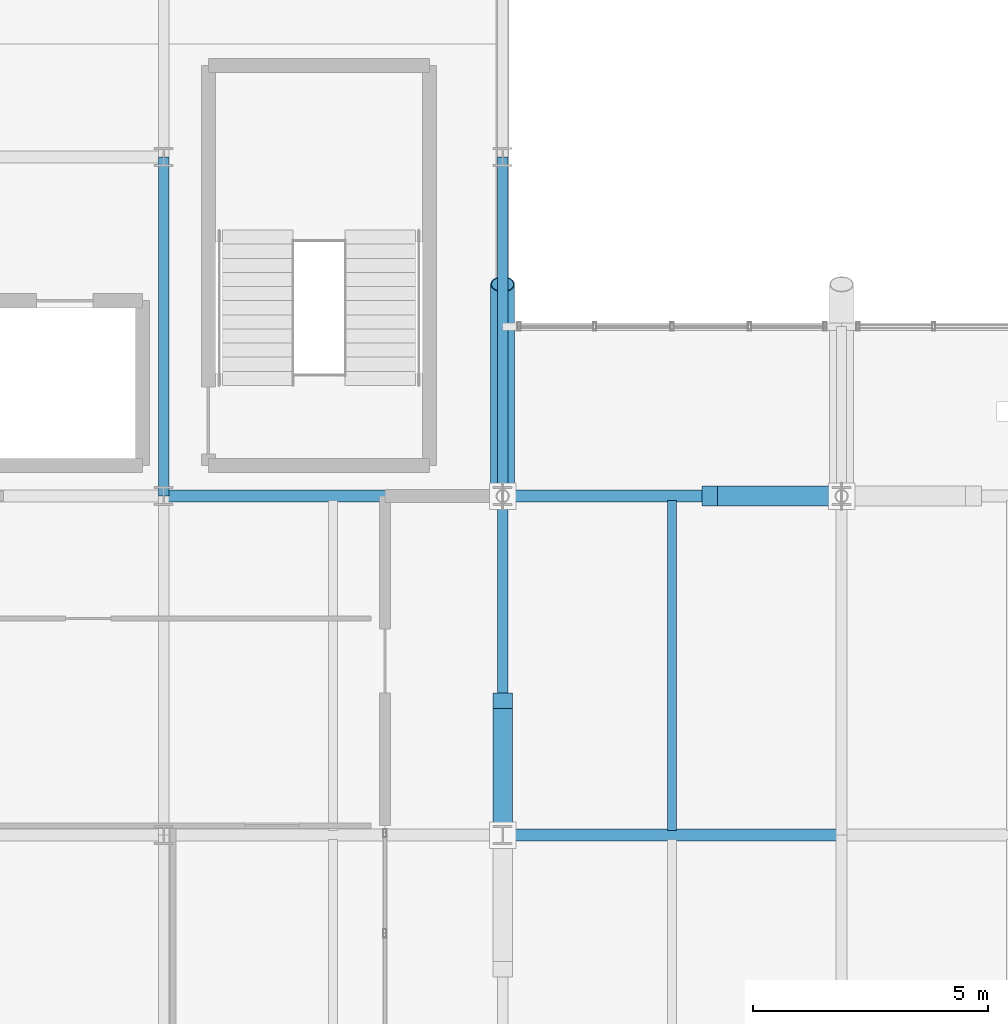
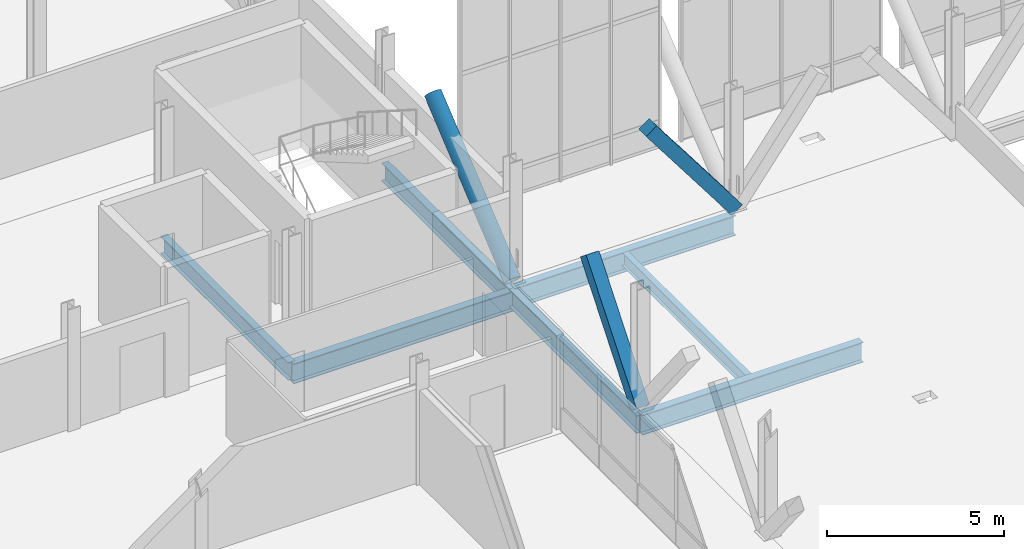
# One storey, part 24 of 102: 7 beams, 3 members.
"""IFC4 building model written with IfcOpenShell, lengths in metres."""

from ifc_helpers import new_model, si_unit, direction, frame, origin, origin_2d, place, context, subcontext, project, spatial, rectangle, hollow_circle, i_section, extrude, material, material_profile, profile_set, type_object, element, save


model = new_model("IFC4")

# Units and contexts
model_context = context("Model", 3, precision=1e-05, world=origin(), true_north=direction((0.0, 1.0)))
body_context = subcontext(model_context, "Body", "Model", "MODEL_VIEW")
ifc_project = project(units=[si_unit("LENGTHUNIT", "METRE"), si_unit("AREAUNIT", "SQUARE_METRE"), si_unit("VOLUMEUNIT", "CUBIC_METRE"), si_unit("PLANEANGLEUNIT", "RADIAN"), si_unit("MASSUNIT", "GRAM", prefix="KILO")], contexts=[model_context])

# Site, building, storey
site_placement = place(None, origin())
site = spatial("IfcSite", under=ifc_project, at=site_placement, CompositionType="ELEMENT")
building_placement = place(site_placement, origin())
building = spatial("IfcBuilding", under=site, at=building_placement, Name="Yarey Park Central Fire Station", CompositionType="ELEMENT")
storey_placement = place(building_placement, frame((0.0, 0.0, 6.0)))
storey = spatial("IfcBuildingStorey", under=building, at=storey_placement, Name="L02", CompositionType="ELEMENT", Elevation=6.0)

# Beams
ifc_material_1 = material(Name="Steel ASTM A992 Gr. 50", Category="steel")
ifc_material_profile_1 = material_profile(ifc_material_1, i_section(OverallWidth=0.22900390625, OverallDepth=0.612060546875, WebThickness=0.011962890625, FlangeThickness=0.01953125, at=origin_2d()), Name="W610x125")
ifc_profile_set_1 = profile_set([ifc_material_profile_1], Name="Steel ASTM A992 Gr. 50")
beam_type_1 = type_object("IfcBeamType", Name="STR_BM_W610", PredefinedType="BEAM", material=ifc_profile_set_1)
beam_1_placement = place(storey_placement, frame((50.39990234375, 57.60009765625, -0.591064453125), z_axis=(0.0, 1.0, 0.0), x_axis=(-1.0, 0.0, 0.0)))
element("IfcBeam", 1, at=beam_1_placement, inside=storey, type_object=beam_type_1, Name="BMY L02 X504 Y576", PredefinedType="BEAM", context=body_context, shape_type="SweptSolid", body=[
    extrude(i_section(OverallWidth=0.22900390625, OverallDepth=0.612060546875, WebThickness=0.011962890625, FlangeThickness=0.01953125, at=origin_2d()), origin(), (0.0, 0.0, 1.0), 7.199951171875),
])
beam_2_placement = place(storey_placement, frame((57.60009765625, 50.39990234375, -0.575927734375), z_axis=(0.0, 1.0, 0.0), x_axis=(-1.0, 0.0, 0.0)))
element("IfcBeam", 2, at=beam_2_placement, inside=storey, type_object=beam_type_1, Name="BMY L02 X576 Y504", PredefinedType="BEAM", context=body_context, shape_type="SweptSolid", body=[
    extrude(i_section(OverallWidth=0.22900390625, OverallDepth=0.612060546875, WebThickness=0.011962890625, FlangeThickness=0.01953125, at=origin_2d()), origin(), (0.0, 0.0, 1.0), 7.2001953125),
])
beam_3_placement = place(storey_placement, frame((57.60009765625, 57.60009765625, -0.591064453125), z_axis=(0.0, 1.0, 0.0), x_axis=(-1.0, 0.0, 0.0)))
element("IfcBeam", 3, at=beam_3_placement, inside=storey, type_object=beam_type_1, Name="BMY L02 X576 Y576", PredefinedType="BEAM", context=body_context, shape_type="SweptSolid", body=[
    extrude(i_section(OverallWidth=0.22900390625, OverallDepth=0.612060546875, WebThickness=0.011962890625, FlangeThickness=0.01953125, at=origin_2d()), origin(), (0.0, 0.0, 1.0), 7.199951171875),
])
ifc_material_profile_2 = material_profile(ifc_material_1, i_section(OverallWidth=0.256103515625, OverallDepth=0.693115234375, WebThickness=0.014404296875, FlangeThickness=0.023681640625, at=origin_2d()), Name="W690x170")
ifc_profile_set_2 = profile_set([ifc_material_profile_2], Name="Steel ASTM A992 Gr. 50")
beam_type_2 = type_object("IfcBeamType", Name="STR_BM_W690", PredefinedType="BEAM", material=ifc_profile_set_2)
beam_4_placement = place(storey_placement, frame((57.60009765625, 50.39990234375, -0.556396484375), z_axis=(1.0, 0.0, 0.0), x_axis=(0.0, 1.0, 0.0)))
element("IfcBeam", 4, at=beam_4_placement, inside=storey, type_object=beam_type_2, Name="BMX L02 Y504 X576", PredefinedType="BEAM", context=body_context, shape_type="SweptSolid", body=[
    extrude(i_section(OverallWidth=0.256103515625, OverallDepth=0.693115234375, WebThickness=0.014404296875, FlangeThickness=0.023681640625, at=origin_2d()), origin(), (0.0, 0.0, 1.0), 7.199951171875),
])
beam_5_placement = place(storey_placement, frame((50.39990234375, 57.60009765625, -0.631591796875), z_axis=(1.0, 0.0, 0.0), x_axis=(0.0, 1.0, 0.0)))
element("IfcBeam", 5, at=beam_5_placement, inside=storey, type_object=beam_type_2, Name="BMX L02 Y576 X504", PredefinedType="BEAM", context=body_context, shape_type="SweptSolid", body=[
    extrude(i_section(OverallWidth=0.256103515625, OverallDepth=0.693115234375, WebThickness=0.014404296875, FlangeThickness=0.023681640625, at=origin_2d()), origin(), (0.0, 0.0, 1.0), 7.2001953125),
])
beam_6_placement = place(storey_placement, frame((57.60009765625, 57.60009765625, -0.556396484375), z_axis=(1.0, 0.0, 0.0), x_axis=(0.0, 1.0, 0.0)))
element("IfcBeam", 6, at=beam_6_placement, inside=storey, type_object=beam_type_2, Name="BMX L02 Y576 X576", PredefinedType="BEAM", context=body_context, shape_type="SweptSolid", body=[
    extrude(i_section(OverallWidth=0.256103515625, OverallDepth=0.693115234375, WebThickness=0.014404296875, FlangeThickness=0.023681640625, at=origin_2d()), origin(), (0.0, 0.0, 1.0), 7.199951171875),
])

# Member
ifc_material_2 = material(Name="Steel ASTM A500 Gr. C", Category="steel")
ifc_material_profile_3 = material_profile(ifc_material_2, hollow_circle(Radius=0.25390625, WallThickness=0.02001953125, at=origin_2d()), Name="CHS 508x20")
ifc_profile_set_3 = profile_set([ifc_material_profile_3], Name="Steel ASTM A500 Gr. C")
member_type_1 = type_object("IfcMemberType", Name="STR_CHORD_CHS508", PredefinedType="CHORD", material=ifc_profile_set_3)
member_1_placement = place(storey_placement, frame((57.60009765625, 57.60009765625, 0.0), z_axis=(0.0, 0.770847459396, 0.637019775473), x_axis=(-1.0, 0.0, 0.0)))
element("IfcMember", 7, at=member_1_placement, inside=storey, type_object=member_type_1, Name="Arched Roof Truss ART_01 Bottom Chord 1", PredefinedType="CHORD", context=body_context, shape_type="SweptSolid", body=[
    extrude(hollow_circle(Radius=0.25390625, WallThickness=0.02001953125, at=origin_2d()), origin(), (0.0, 0.0, 1.0), 5.837646484375),
])

# Beam
ifc_material_profile_4 = material_profile(ifc_material_1, i_section(OverallWidth=0.18994140625, OverallDepth=0.45703125, WebThickness=0.009033203125, FlangeThickness=0.014404296875, at=origin_2d()), Name="W460x74")
ifc_profile_set_4 = profile_set([ifc_material_profile_4], Name="Steel ASTM A992 Gr. 50")
beam_type_3 = type_object("IfcBeamType", Name="STR_JST_W460", PredefinedType="JOIST", material=ifc_profile_set_4)
beam_7_placement = place(storey_placement, frame((61.199951171875, 50.4951171875, -0.4384765625), z_axis=(0.0, 1.0, 0.0), x_axis=(-1.0, 0.0, 0.0)))
element("IfcBeam", 8, at=beam_7_placement, inside=storey, type_object=beam_type_3, Name="JST L02 X612 Y504", PredefinedType="JOIST", context=body_context, shape_type="SweptSolid", body=[
    extrude(i_section(OverallWidth=0.18994140625, OverallDepth=0.45703125, WebThickness=0.009033203125, FlangeThickness=0.014404296875, at=origin_2d()), origin(), (0.0, 0.0, 1.0), 7.009765625),
])

# Members
ifc_material_3 = material(Name="Glulam GL28h", Category="wood")
ifc_material_profile_5 = material_profile(ifc_material_3, rectangle(XDim=0.419921875, YDim=0.419921875, at=origin_2d()), Name="GL 420x420")
ifc_profile_set_5 = profile_set([ifc_material_profile_5], Name="Glulam GL28h")
member_type_2 = type_object("IfcMemberType", Name="STR_STRUT_GL420", PredefinedType="STRUT", material=ifc_profile_set_5)
member_2_placement = place(storey_placement, frame((64.800048828125, 57.60009765625, 0.02001953125), z_axis=(-0.603454425048, 0.0, 0.797397489895), x_axis=(0.0, -1.0, 0.0)))
element("IfcMember", 9, at=member_2_placement, inside=storey, type_object=member_type_2, Name="Raked Glulam Strut RGS-026", PredefinedType="STRUT", context=body_context, shape_type="SweptSolid", body=[
    extrude(rectangle(XDim=0.419921875, YDim=0.419921875, at=origin_2d()), origin(), (0.0, 0.0, 1.0), 4.64013671875),
])
member_3_placement = place(storey_placement, frame((57.60009765625, 50.39990234375, -0.02001953125), z_axis=(0.0, 0.623899588473, 0.781504512785), x_axis=(-1.0, 0.0, 0.0)))
element("IfcMember", 10, at=member_3_placement, inside=storey, type_object=member_type_2, Name="Raked Glulam Strut RGS-71", PredefinedType="STRUT", context=body_context, shape_type="SweptSolid", body=[
    extrude(rectangle(XDim=0.419921875, YDim=0.419921875, at=origin_2d()), origin(), (0.0, 0.0, 1.0), 4.568115234375),
])

save(model, "model.ifc")
